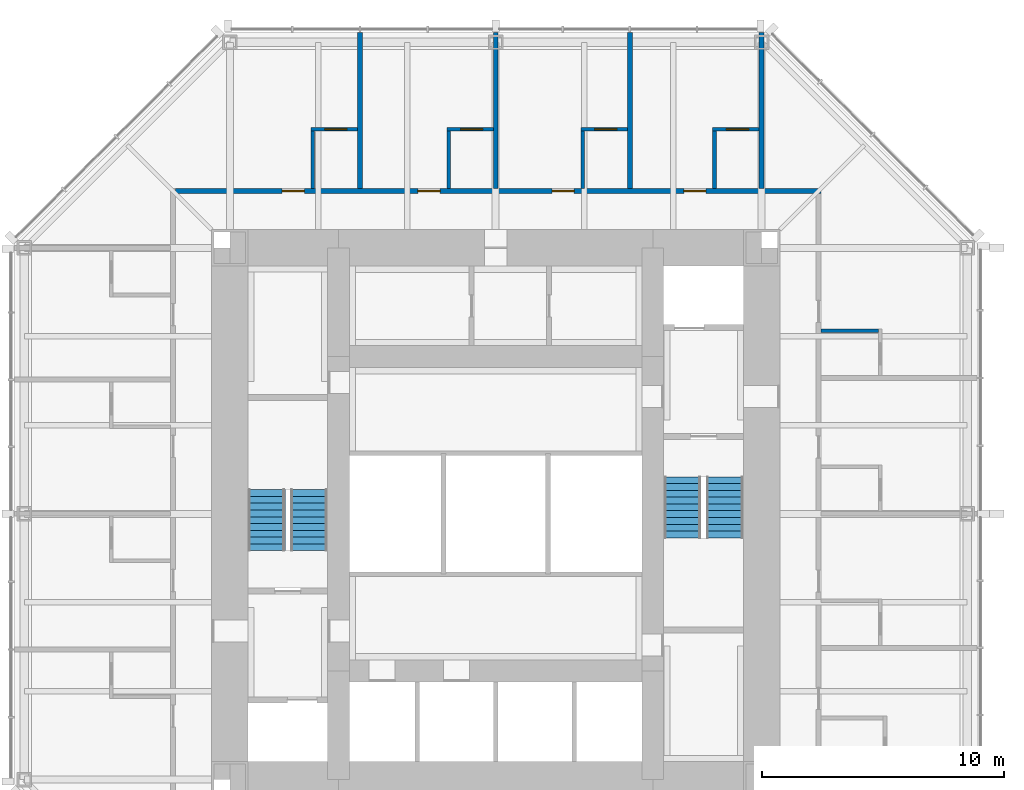
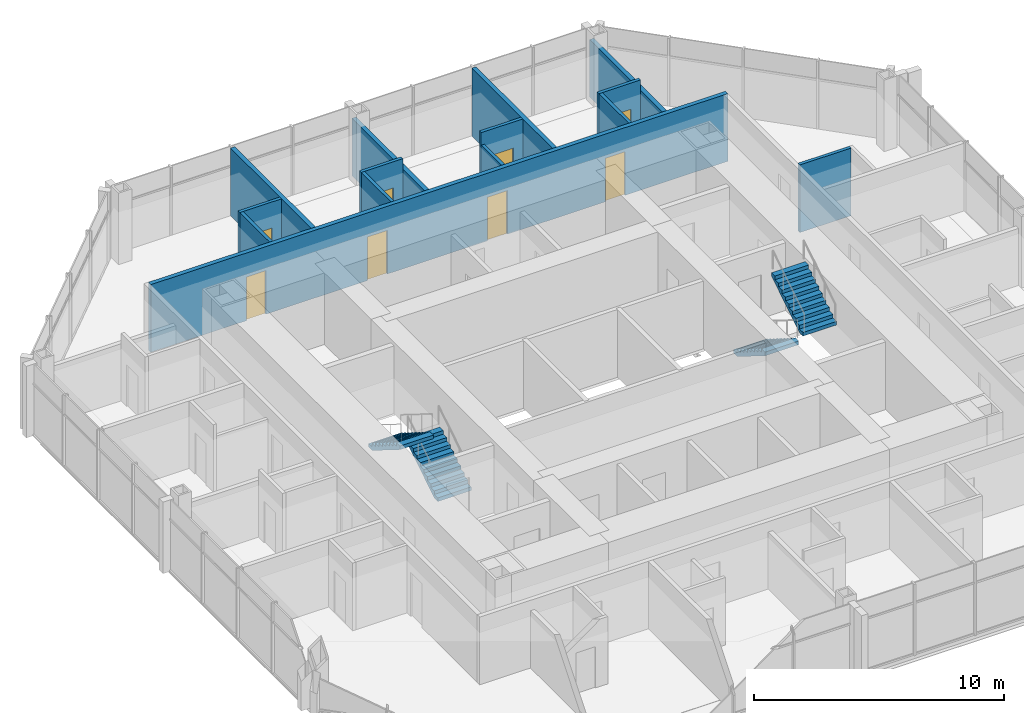
# One storey, part 10 of 12: 14 walls, 8 doors, 4 stair flights, 8 openings, 2 elements without a shape of their own.
"""IFC4 building model written with IfcOpenShell, lengths in metres."""

import ifcopenshell
import ifcopenshell.guid

model = None  # the IFC model being written
_history = None  # IfcOwnerHistory: only IFC2X3 demands one
_inside = {}  # id of a spatial element -> (the spatial element, [elements in it])
_under = {}  # id of a project, library or spatial element -> (it, [spatial elements below it])
_declared = {}  # id of a project -> (the project, [libraries it declares])
_typed = {}  # id of a type object -> (the type object, [elements of that type])
_made_of = {}  # id of a material, layer set ... -> (it, [elements and type objects made of it])


def new_model(schema):
    """Start an empty IFC model of exactly this schema.

    Asked for "IFC4X3", IfcOpenShell would pick the latest addendum, in which some entities
    have other attributes; the version numbers below select the first issue.
    IFC2X3 requires an IfcOwnerHistory on every rooted entity: one is made here for all.
    """
    global model, _history
    if schema == "IFC4X3":
        model = ifcopenshell.file(schema_version=(4, 3, 0, 0))
    else:
        model = ifcopenshell.file(schema=schema)
    _inside.clear()
    _under.clear()
    _declared.clear()
    _typed.clear()
    _made_of.clear()
    _history = None
    if model.schema == "IFC2X3":
        org = make("IfcOrganization", Name="unknown")
        user = make(
            "IfcPersonAndOrganization",
            ThePerson=make("IfcPerson", FamilyName="unknown"),
            TheOrganization=org,
        )
        app = make(
            "IfcApplication",
            ApplicationDeveloper=org,
            Version="unknown",
            ApplicationFullName="unknown",
            ApplicationIdentifier="unknown",
        )
        _history = make(
            "IfcOwnerHistory",
            OwningUser=user,
            OwningApplication=app,
            ChangeAction="ADDED",
            CreationDate=0,
        )
    return model


def make(cls, **values):
    """One entity of the class cls with the attributes given. An attribute that is None is left unset."""
    return model.create_entity(
        cls, **{name: value for name, value in values.items() if value is not None}
    )


def rooted(cls, **values):
    """An entity with a GlobalId (a new one), such as an element, a storey or a relation."""
    return make(cls, GlobalId=ifcopenshell.guid.new(), OwnerHistory=_history, **values)


def si_unit(unit_type, name, prefix=None):
    """IfcSIUnit, for example si_unit("LENGTHUNIT", "METRE", prefix="MILLI")."""
    return make("IfcSIUnit", UnitType=unit_type, Prefix=prefix, Name=name)


def assignment(units):
    """IfcUnitAssignment: the units of a project."""
    return None if units is None else make("IfcUnitAssignment", Units=units)


def point(xyz):
    """IfcCartesianPoint."""
    return None if xyz is None else make("IfcCartesianPoint", Coordinates=xyz)


def direction(xyz):
    """IfcDirection."""
    return None if xyz is None else make("IfcDirection", DirectionRatios=xyz)


def frame(location, z_axis=None, x_axis=None):
    """IfcAxis2Placement3D, a coordinate frame: its origin and axes. An axis left out is left unset."""
    return make(
        "IfcAxis2Placement3D",
        Location=point(location),
        Axis=direction(z_axis),
        RefDirection=direction(x_axis),
    )


def frame_2d(location, x_axis=None):
    """IfcAxis2Placement2D, a coordinate frame in the plane: its origin and x axis."""
    return make(
        "IfcAxis2Placement2D", Location=point(location), RefDirection=direction(x_axis)
    )


def origin():
    """The frame at (0, 0, 0) with its axes left unset."""
    return frame((0.0, 0.0, 0.0))


def place(relative_to, where):
    """IfcLocalPlacement: puts the frame where relative to a parent placement (None: the world)."""
    return make(
        "IfcLocalPlacement", PlacementRelTo=relative_to, RelativePlacement=where
    )


def context(
    kind, dimensions, precision=None, world=None, true_north=None, identifier=None
):
    """IfcGeometricRepresentationContext, for example the 3D "Model" context."""
    return make(
        "IfcGeometricRepresentationContext",
        ContextIdentifier=identifier,
        ContextType=kind,
        CoordinateSpaceDimension=dimensions,
        Precision=precision,
        WorldCoordinateSystem=world,
        TrueNorth=true_north,
    )


def subcontext(parent, identifier, kind, view, scale=None):
    """IfcGeometricRepresentationSubContext, for example "Body" below "Model"."""
    return make(
        "IfcGeometricRepresentationSubContext",
        ContextIdentifier=identifier,
        ContextType=kind,
        ParentContext=parent,
        TargetScale=scale,
        TargetView=view,
    )


def project(units=None, contexts=None):
    """IfcProject with its units and contexts."""
    return rooted(
        "IfcProject",
        Name="project",
        RepresentationContexts=contexts,
        UnitsInContext=assignment(units),
    )


def spatial(cls, under=None, at=None, **own):
    """A site, building, storey or space (cls), placed at a placement, below another one or the project."""
    s = rooted(cls, ObjectPlacement=at, **own)
    if under is not None:
        _under.setdefault(under.id(), (under, []))[1].append(s)
    return s


def polyline(points):
    """IfcPolyline through the points."""
    return make("IfcPolyline", Points=[point(p) for p in points])


def profile(cls, at=None, kind="AREA", **sizes):
    """A parametric profile (cls). Its sizes go by their IFC names, for example OverallWidth=200.0."""
    return make(cls, ProfileType=kind, Position=at, **sizes)


def rectangle(**sizes):
    """IfcRectangleProfileDef."""
    return profile("IfcRectangleProfileDef", **sizes)


def outline(outer, holes=None, kind="AREA"):
    """IfcArbitraryClosedProfileDef: a profile drawn as a closed curve; with holes, ...WithVoids."""
    if holes is None:
        return make("IfcArbitraryClosedProfileDef", ProfileType=kind, OuterCurve=outer)
    return make(
        "IfcArbitraryProfileDefWithVoids",
        ProfileType=kind,
        OuterCurve=outer,
        InnerCurves=holes,
    )


def extrude(swept, where, along, depth):
    """IfcExtrudedAreaSolid: the profile swept, set in the frame where, extruded along a direction by depth."""
    return make(
        "IfcExtrudedAreaSolid",
        SweptArea=swept,
        Position=where,
        ExtrudedDirection=direction(along),
        Depth=depth,
    )


def shape(context_of_items, identifier, shape_type, items):
    """IfcShapeRepresentation: the items that make up one representation, for example the "Body"."""
    return make(
        "IfcShapeRepresentation",
        ContextOfItems=context_of_items,
        RepresentationIdentifier=identifier,
        RepresentationType=shape_type,
        Items=items,
    )


def material(Name=None, Category=None):
    """IfcMaterial."""
    return make("IfcMaterial", Name=Name, Category=Category)


def layer(
    of_material, thickness, ventilated=None, Name=None, Category=None, Priority=None
):
    """IfcMaterialLayer: one layer of a wall or slab, of a material (None: an air gap)."""
    return make(
        "IfcMaterialLayer",
        Material=of_material,
        LayerThickness=thickness,
        IsVentilated=ventilated,
        Name=Name,
        Category=Category,
        Priority=Priority,
    )


def layer_set(layers, Name=None):
    """IfcMaterialLayerSet."""
    return make("IfcMaterialLayerSet", MaterialLayers=layers, LayerSetName=Name)


def made_of(thing, what):
    """Note that an element or type object is made of a material, layer set ...; save() writes the relation."""
    if what is not None:
        _made_of.setdefault(what.id(), (what, []))[1].append(thing)
    return thing


def type_object(cls, material=None, **own):
    """A type object (cls), such as IfcWallType, which elements share."""
    return made_of(rooted(cls, **own), material)


def element(
    cls,
    number,
    at=None,
    inside=None,
    cuts=None,
    type_object=None,
    material=None,
    context=None,
    identifier="Body",
    shape_type=None,
    held_by="IfcProductDefinitionShape",
    body=None,
    shapes=None,
    **own,
):
    """One element of the class cls, such as IfcWall. Its Tag is "e" and its number.

    at: its placement. inside: the storey or other place that contains it. cuts: it is an
    opening in that element (IfcRelVoidsElement). A single representation is given by context,
    identifier, shape_type and body (its items); several are given by shapes. held_by: the class
    of the entity that holds the representations. save() writes the other relations.
    """
    e = rooted(cls, Tag="e%d" % number, ObjectPlacement=at, **own)
    if body is not None:
        shapes = [shape(context, identifier, shape_type, body)]
    if shapes is not None:
        e.Representation = make(held_by, Representations=shapes)
    if inside is not None:
        _inside.setdefault(inside.id(), (inside, []))[1].append(e)
    if cuts is not None:
        rooted(
            "IfcRelVoidsElement", RelatingBuildingElement=cuts, RelatedOpeningElement=e
        )
    if type_object is not None:
        _typed.setdefault(type_object.id(), (type_object, []))[1].append(e)
    return made_of(e, material)


def fill(opening, filler):
    """IfcRelFillsElement: the door or window that sits in an opening."""
    return rooted(
        "IfcRelFillsElement",
        RelatingOpeningElement=opening,
        RelatedBuildingElement=filler,
    )


def aggregate(whole, parts):
    """IfcRelAggregates: a whole, such as a stair, and the parts it consists of."""
    return rooted("IfcRelAggregates", RelatingObject=whole, RelatedObjects=parts)


def save(model, path):
    """Write the relations noted so far, then the file.

    IfcRelAggregates (storeys below a building ...), IfcRelContainedInSpatialStructure (elements
    in a storey), IfcRelDefinesByType, IfcRelAssociatesMaterial and IfcRelDeclares: one each for
    every whole, place, type object, material and project.
    """
    for whole, parts in _under.values():
        aggregate(whole, parts)
    for where, things in _inside.values():
        rooted(
            "IfcRelContainedInSpatialStructure",
            RelatedElements=things,
            RelatingStructure=where,
        )
    for kind, things in _typed.values():
        rooted("IfcRelDefinesByType", RelatedObjects=things, RelatingType=kind)
    for what, things in _made_of.values():
        rooted("IfcRelAssociatesMaterial", RelatedObjects=things, RelatingMaterial=what)
    for by, libraries in _declared.values():
        rooted("IfcRelDeclares", RelatingContext=by, RelatedDefinitions=libraries)
    model.write(path)


model = new_model("IFC4")

# Units and contexts
model_context = context("Model", 3, precision=1e-05, world=origin(), true_north=direction((0.0, 1.0)))
body_context = subcontext(model_context, "Body", "Model", "MODEL_VIEW")
ifc_project = project(units=[si_unit("LENGTHUNIT", "METRE"), si_unit("AREAUNIT", "SQUARE_METRE"), si_unit("VOLUMEUNIT", "CUBIC_METRE"), si_unit("PLANEANGLEUNIT", "RADIAN"), si_unit("MASSUNIT", "GRAM", prefix="KILO")], contexts=[model_context])

# Site, building, storey
site_placement = place(None, origin())
site = spatial("IfcSite", under=ifc_project, at=site_placement, CompositionType="ELEMENT")
building_placement = place(site_placement, origin())
building = spatial("IfcBuilding", under=site, at=building_placement, Name="Trevanion Tower", CompositionType="ELEMENT")
storey_placement = place(building_placement, frame((0.0, 0.0, 190.699951171875)))
storey = spatial("IfcBuildingStorey", under=building, at=storey_placement, Name="L44", CompositionType="ELEMENT", Elevation=190.699951171875)

# Wall
ifc_material_1 = material(Name="Gypsum board on steel studs", Category="steel")
ifc_layer_1 = layer(ifc_material_1, 0.14990234375)
ifc_layer_set_1 = layer_set([ifc_layer_1], Name="PT1 partition 150")
wall_type_1 = type_object("IfcWallType", Name="PT1 partition 150", PredefinedType="PARTITIONING", material=ifc_layer_set_1)
wall_1_placement = place(storey_placement, frame((13.449951171875, 7.56396484375, 0.0), z_axis=(0.0, 0.0, 1.0), x_axis=(1.0, 0.0, 0.0)))
element("IfcWall", 1, at=wall_1_placement, inside=storey, type_object=wall_type_1, Name="PT1 L44 BB03", PredefinedType="PARTITIONING", context=body_context, shape_type="SweptSolid", body=[
    extrude(rectangle(XDim=2.375, YDim=0.14990234375, at=frame_2d((1.1875, 0.0))), origin(), (0.0, 0.0, 1.0), 3.31005859375),
])

# Wall, opening, door
wall_2_placement = place(storey_placement, frame((10.89990234375, 15.89990234375, 0.0), z_axis=(0.0, 0.0, 1.0), x_axis=(-1.0, 0.0, 0.0)))
wall_2 = element("IfcWall", 2, at=wall_2_placement, inside=storey, type_object=wall_type_1, Name="PT1 L44 BA10", PredefinedType="PARTITIONING", context=body_context, shape_type="SweptSolid", body=[
    extrude(rectangle(XDim=1.9248046875, YDim=0.14990234375, at=frame_2d((0.96240234375, 0.0))), origin(), (0.0, 0.0, 1.0), 3.31005859375),
])
opening_1_placement = place(wall_2_placement, frame((0.4423828125, 0.0, 0.0)))
opening_1 = element("IfcOpeningElement", 3, at=opening_1_placement, cuts=wall_2, Name="Opening 44-024", PredefinedType="OPENING", context=body_context, shape_type="SweptSolid", body=[
    extrude(rectangle(XDim=0.9150390625, YDim=2.031982421875, at=frame_2d((0.45751953125, 1.01611328125))), frame((0.0, 0.0849609375, 0.0), z_axis=(0.0, -1.0, 0.0), x_axis=(1.0, 0.0, 0.0)), (0.0, 0.0, 1.0), 0.169921875),
])
ifc_material_2 = material(Name="Timber veneer", Category="wood")
door_type_1 = type_object("IfcDoorType", Name="D7 bathroom door", OperationType="SINGLE_SWING_LEFT", PredefinedType="DOOR", material=ifc_material_2)
door_1_placement = place(opening_1_placement, origin())
door_1 = element("IfcDoor", 4, at=door_1_placement, inside=storey, type_object=door_type_1, Name="Door 44-024", OperationType="SINGLE_SWING_LEFT", OverallHeight=2.031982421875, OverallWidth=0.9150390625, PredefinedType="DOOR", context=body_context, shape_type="SweptSolid", body=[
    extrude(rectangle(XDim=0.9150390625, YDim=2.031982421875, at=frame_2d((0.45751953125, 1.01611328125))), frame((0.0, 0.02490234375, 0.0), z_axis=(0.0, -1.0, 0.0), x_axis=(1.0, 0.0, 0.0)), (0.0, 0.0, 1.0), 0.050048828125),
])
fill(opening_1, door_1)

# Wall
wall_3_placement = place(storey_placement, frame((9.050048828125, 13.449951171875, 0.0), z_axis=(0.0, 0.0, 1.0), x_axis=(0.0, 1.0, 0.0)))
element("IfcWall", 5, at=wall_3_placement, inside=storey, type_object=wall_type_1, Name="PT1 L44 BB10", PredefinedType="PARTITIONING", context=body_context, shape_type="SweptSolid", body=[
    extrude(rectangle(XDim=2.375, YDim=0.14990234375, at=frame_2d((1.1875, 0.0))), origin(), (0.0, 0.0, 1.0), 3.31005859375),
])

# Wall, opening, door
wall_4_placement = place(storey_placement, frame((5.448974609375, 15.89990234375, 0.0), z_axis=(0.0, 0.0, 1.0), x_axis=(-1.0, 0.0, 0.0)))
wall_4 = element("IfcWall", 6, at=wall_4_placement, inside=storey, type_object=wall_type_1, Name="PT1 L44 BA11", PredefinedType="PARTITIONING", context=body_context, shape_type="SweptSolid", body=[
    extrude(rectangle(XDim=1.925048828125, YDim=0.14990234375, at=frame_2d((0.96240234375, 0.0))), origin(), (0.0, 0.0, 1.0), 3.31005859375),
])
opening_2_placement = place(wall_4_placement, frame((0.4423828125, 0.0, 0.0)))
opening_2 = element("IfcOpeningElement", 7, at=opening_2_placement, cuts=wall_4, Name="Opening 44-026", PredefinedType="OPENING", context=body_context, shape_type="SweptSolid", body=[
    extrude(rectangle(XDim=0.9150390625, YDim=2.031982421875, at=frame_2d((0.45751953125, 1.01611328125))), frame((0.0, 0.0849609375, 0.0), z_axis=(0.0, -1.0, 0.0), x_axis=(1.0, 0.0, 0.0)), (0.0, 0.0, 1.0), 0.169921875),
])
door_2_placement = place(opening_2_placement, origin())
door_2 = element("IfcDoor", 8, at=door_2_placement, inside=storey, type_object=door_type_1, Name="Door 44-026", OperationType="SINGLE_SWING_LEFT", OverallHeight=2.031982421875, OverallWidth=0.9150390625, PredefinedType="DOOR", context=body_context, shape_type="SweptSolid", body=[
    extrude(rectangle(XDim=0.9150390625, YDim=2.031982421875, at=frame_2d((0.45751953125, 1.01611328125))), frame((0.0, 0.02490234375, 0.0), z_axis=(0.0, -1.0, 0.0), x_axis=(1.0, 0.0, 0.0)), (0.0, 0.0, 1.0), 0.050048828125),
])
fill(opening_2, door_2)

# Wall
wall_5_placement = place(storey_placement, frame((3.59912109375, 13.449951171875, 0.0), z_axis=(0.0, 0.0, 1.0), x_axis=(0.0, 1.0, 0.0)))
element("IfcWall", 9, at=wall_5_placement, inside=storey, type_object=wall_type_1, Name="PT1 L44 BB11", PredefinedType="PARTITIONING", context=body_context, shape_type="SweptSolid", body=[
    extrude(rectangle(XDim=2.375, YDim=0.14990234375, at=frame_2d((1.1875, 0.0))), origin(), (0.0, 0.0, 1.0), 2.703125),
])

# Wall, opening, door
wall_6_placement = place(storey_placement, frame((-0.10009765625, 15.89990234375, 0.0), z_axis=(0.0, 0.0, 1.0), x_axis=(-1.0, 0.0, 0.0)))
wall_6 = element("IfcWall", 10, at=wall_6_placement, inside=storey, type_object=wall_type_1, Name="PT1 L44 BA12", PredefinedType="PARTITIONING", context=body_context, shape_type="SweptSolid", body=[
    extrude(rectangle(XDim=1.9248046875, YDim=0.14990234375, at=frame_2d((0.96240234375, 0.0))), origin(), (0.0, 0.0, 1.0), 3.31005859375),
])
opening_3_placement = place(wall_6_placement, frame((0.4423828125, 0.0, 0.0)))
opening_3 = element("IfcOpeningElement", 11, at=opening_3_placement, cuts=wall_6, Name="Opening 44-028", PredefinedType="OPENING", context=body_context, shape_type="SweptSolid", body=[
    extrude(rectangle(XDim=0.9150390625, YDim=2.031982421875, at=frame_2d((0.45751953125, 1.01611328125))), frame((0.0, 0.0849609375, 0.0), z_axis=(0.0, -1.0, 0.0), x_axis=(1.0, 0.0, 0.0)), (0.0, 0.0, 1.0), 0.169921875),
])
door_3_placement = place(opening_3_placement, origin())
door_3 = element("IfcDoor", 12, at=door_3_placement, inside=storey, type_object=door_type_1, Name="Door 44-028", OperationType="SINGLE_SWING_LEFT", OverallHeight=2.031982421875, OverallWidth=0.9150390625, PredefinedType="DOOR", context=body_context, shape_type="SweptSolid", body=[
    extrude(rectangle(XDim=0.9150390625, YDim=2.031982421875, at=frame_2d((0.45751953125, 1.01611328125))), frame((0.0, 0.02490234375, 0.0), z_axis=(0.0, -1.0, 0.0), x_axis=(1.0, 0.0, 0.0)), (0.0, 0.0, 1.0), 0.050048828125),
])
fill(opening_3, door_3)

# Wall
wall_7_placement = place(storey_placement, frame((-1.949951171875, 13.449951171875, 0.0), z_axis=(0.0, 0.0, 1.0), x_axis=(0.0, 1.0, 0.0)))
element("IfcWall", 13, at=wall_7_placement, inside=storey, type_object=wall_type_1, Name="PT1 L44 BB12", PredefinedType="PARTITIONING", context=body_context, shape_type="SweptSolid", body=[
    extrude(rectangle(XDim=2.375, YDim=0.14990234375, at=frame_2d((1.1875, 0.0))), origin(), (0.0, 0.0, 1.0), 3.31005859375),
])

# Wall, opening, door
wall_8_placement = place(storey_placement, frame((-5.714111328125, 15.89990234375, 0.0), z_axis=(0.0, 0.0, 1.0), x_axis=(-1.0, 0.0, 0.0)))
wall_8 = element("IfcWall", 14, at=wall_8_placement, inside=storey, type_object=wall_type_1, Name="PT1 L44 BA13", PredefinedType="PARTITIONING", context=body_context, shape_type="SweptSolid", body=[
    extrude(rectangle(XDim=1.9248046875, YDim=0.14990234375, at=frame_2d((0.96240234375, 0.0))), origin(), (0.0, 0.0, 1.0), 3.31005859375),
])
opening_4_placement = place(wall_8_placement, frame((0.4423828125, 0.0, 0.0)))
opening_4 = element("IfcOpeningElement", 15, at=opening_4_placement, cuts=wall_8, Name="Opening 44-030", PredefinedType="OPENING", context=body_context, shape_type="SweptSolid", body=[
    extrude(rectangle(XDim=0.9150390625, YDim=2.031982421875, at=frame_2d((0.45751953125, 1.01611328125))), frame((0.0, 0.0849609375, 0.0), z_axis=(0.0, -1.0, 0.0), x_axis=(1.0, 0.0, 0.0)), (0.0, 0.0, 1.0), 0.169921875),
])
door_4_placement = place(opening_4_placement, origin())
door_4 = element("IfcDoor", 16, at=door_4_placement, inside=storey, type_object=door_type_1, Name="Door 44-030", OperationType="SINGLE_SWING_LEFT", OverallHeight=2.031982421875, OverallWidth=0.9150390625, PredefinedType="DOOR", context=body_context, shape_type="SweptSolid", body=[
    extrude(rectangle(XDim=0.9150390625, YDim=2.031982421875, at=frame_2d((0.45751953125, 1.01611328125))), frame((0.0, 0.02490234375, 0.0), z_axis=(0.0, -1.0, 0.0), x_axis=(1.0, 0.0, 0.0)), (0.0, 0.0, 1.0), 0.050048828125),
])
fill(opening_4, door_4)

# Wall
wall_9_placement = place(storey_placement, frame((-7.56396484375, 13.449951171875, 0.0), z_axis=(0.0, 0.0, 1.0), x_axis=(0.0, 1.0, 0.0)))
element("IfcWall", 17, at=wall_9_placement, inside=storey, type_object=wall_type_1, Name="PT1 L44 BB13", PredefinedType="PARTITIONING", context=body_context, shape_type="SweptSolid", body=[
    extrude(rectangle(XDim=2.375, YDim=0.14990234375, at=frame_2d((1.1875, 0.0))), origin(), (0.0, 0.0, 1.0), 3.31005859375),
])

# Wall, openings, doors
ifc_material_3 = material(Name="Concrete masonry, grouted", Category="masonry")
ifc_layer_2 = layer(ifc_material_3, 0.199951171875)
ifc_layer_set_2 = layer_set([ifc_layer_2], Name="PT2 partition 200 1 HR")
wall_type_2 = type_object("IfcWallType", Name="PT2 partition 200 1 HR", PredefinedType="PARTITIONING", material=ifc_layer_set_2)
wall_10_placement = place(storey_placement, frame((13.449951171875, 13.35009765625, 0.0), z_axis=(0.0, 0.0, 1.0), x_axis=(-1.0, 0.0, 0.0)))
wall_10 = element("IfcWall", 18, at=wall_10_placement, inside=storey, type_object=wall_type_2, Name="PT2 L44 HC1", PredefinedType="PARTITIONING", context=body_context, shape_type="SweptSolid", body=[
    extrude(rectangle(XDim=26.699951171875, YDim=0.199951171875, at=frame_2d((13.35009765625, 0.0))), origin(), (0.0, 0.0, 1.0), 3.31005859375),
])
opening_5_placement = place(wall_10_placement, frame((4.75244140625, 0.0, 0.0)))
opening_5 = element("IfcOpeningElement", 19, at=opening_5_placement, cuts=wall_10, Name="Opening 44-025", PredefinedType="OPENING", context=body_context, shape_type="SweptSolid", body=[
    extrude(rectangle(XDim=0.9150390625, YDim=2.134033203125, at=frame_2d((0.45751953125, 1.06689453125))), frame((0.0, 0.10986328125, 0.0), z_axis=(0.0, -1.0, 0.0), x_axis=(1.0, 0.0, 0.0)), (0.0, 0.0, 1.0), 0.219970703125),
])
opening_6_placement = place(wall_10_placement, frame((10.20361328125, 0.0, 0.0)))
opening_6 = element("IfcOpeningElement", 20, at=opening_6_placement, cuts=wall_10, Name="Opening 44-027", PredefinedType="OPENING", context=body_context, shape_type="SweptSolid", body=[
    extrude(rectangle(XDim=0.9150390625, YDim=2.134033203125, at=frame_2d((0.45751953125, 1.06689453125))), frame((0.0, 0.10986328125, 0.0), z_axis=(0.0, -1.0, 0.0), x_axis=(1.0, 0.0, 0.0)), (0.0, 0.0, 1.0), 0.219970703125),
])
opening_7_placement = place(wall_10_placement, frame((15.75244140625, 0.0, 0.0)))
opening_7 = element("IfcOpeningElement", 21, at=opening_7_placement, cuts=wall_10, Name="Opening 44-029", PredefinedType="OPENING", context=body_context, shape_type="SweptSolid", body=[
    extrude(rectangle(XDim=0.9150390625, YDim=2.134033203125, at=frame_2d((0.45751953125, 1.06689453125))), frame((0.0, 0.10986328125, 0.0), z_axis=(0.0, -1.0, 0.0), x_axis=(1.0, 0.0, 0.0)), (0.0, 0.0, 1.0), 0.219970703125),
])
opening_8_placement = place(wall_10_placement, frame((21.366455078125, 0.0, 0.0)))
opening_8 = element("IfcOpeningElement", 22, at=opening_8_placement, cuts=wall_10, Name="Opening 44-031", PredefinedType="OPENING", context=body_context, shape_type="SweptSolid", body=[
    extrude(rectangle(XDim=0.9150390625, YDim=2.134033203125, at=frame_2d((0.45751953125, 1.06689453125))), frame((0.0, 0.10986328125, 0.0), z_axis=(0.0, -1.0, 0.0), x_axis=(1.0, 0.0, 0.0)), (0.0, 0.0, 1.0), 0.219970703125),
])
ifc_material_4 = material(Name="Timber veneer, fire rated", Category="wood")
door_type_2 = type_object("IfcDoorType", Name="D6 guest room entrance door", OperationType="SINGLE_SWING_LEFT", PredefinedType="DOOR", material=ifc_material_4)
door_5_placement = place(opening_5_placement, origin())
door_5 = element("IfcDoor", 23, at=door_5_placement, inside=storey, type_object=door_type_2, Name="Door 44-025", OperationType="SINGLE_SWING_LEFT", OverallHeight=2.134033203125, OverallWidth=0.9150390625, PredefinedType="DOOR", context=body_context, shape_type="SweptSolid", body=[
    extrude(rectangle(XDim=0.9150390625, YDim=2.134033203125, at=frame_2d((0.45751953125, 1.06689453125))), frame((0.0, 0.02490234375, 0.0), z_axis=(0.0, -1.0, 0.0), x_axis=(1.0, 0.0, 0.0)), (0.0, 0.0, 1.0), 0.050048828125),
])
fill(opening_5, door_5)
door_6_placement = place(opening_6_placement, origin())
door_6 = element("IfcDoor", 24, at=door_6_placement, inside=storey, type_object=door_type_2, Name="Door 44-027", OperationType="SINGLE_SWING_LEFT", OverallHeight=2.134033203125, OverallWidth=0.9150390625, PredefinedType="DOOR", context=body_context, shape_type="SweptSolid", body=[
    extrude(rectangle(XDim=0.9150390625, YDim=2.134033203125, at=frame_2d((0.45751953125, 1.06689453125))), frame((0.0, 0.02490234375, 0.0), z_axis=(0.0, -1.0, 0.0), x_axis=(1.0, 0.0, 0.0)), (0.0, 0.0, 1.0), 0.050048828125),
])
fill(opening_6, door_6)
door_7_placement = place(opening_7_placement, origin())
door_7 = element("IfcDoor", 25, at=door_7_placement, inside=storey, type_object=door_type_2, Name="Door 44-029", OperationType="SINGLE_SWING_LEFT", OverallHeight=2.134033203125, OverallWidth=0.9150390625, PredefinedType="DOOR", context=body_context, shape_type="SweptSolid", body=[
    extrude(rectangle(XDim=0.9150390625, YDim=2.134033203125, at=frame_2d((0.45751953125, 1.06689453125))), frame((0.0, 0.02490234375, 0.0), z_axis=(0.0, -1.0, 0.0), x_axis=(1.0, 0.0, 0.0)), (0.0, 0.0, 1.0), 0.050048828125),
])
fill(opening_7, door_7)
door_8_placement = place(opening_8_placement, origin())
door_8 = element("IfcDoor", 26, at=door_8_placement, inside=storey, type_object=door_type_2, Name="Door 44-031", OperationType="SINGLE_SWING_LEFT", OverallHeight=2.134033203125, OverallWidth=0.9150390625, PredefinedType="DOOR", context=body_context, shape_type="SweptSolid", body=[
    extrude(rectangle(XDim=0.9150390625, YDim=2.134033203125, at=frame_2d((0.45751953125, 1.06689453125))), frame((0.0, 0.02490234375, 0.0), z_axis=(0.0, -1.0, 0.0), x_axis=(1.0, 0.0, 0.0)), (0.0, 0.0, 1.0), 0.050048828125),
])
fill(opening_8, door_8)

# Walls
wall_11_placement = place(storey_placement, frame((11.0, 13.449951171875, 0.0), z_axis=(0.0, 0.0, 1.0), x_axis=(0.0, 1.0, 0.0)))
element("IfcWall", 27, at=wall_11_placement, inside=storey, type_object=wall_type_2, Name="PT2 L44 HD10", PredefinedType="PARTITIONING", context=body_context, shape_type="SweptSolid", body=[
    extrude(rectangle(XDim=6.465087890625, YDim=0.199951171875, at=frame_2d((3.232421875, 0.0))), origin(), (0.0, 0.0, 1.0), 2.802001953125),
])
wall_12_placement = place(storey_placement, frame((5.549072265625, 13.449951171875, 0.0), z_axis=(0.0, 0.0, 1.0), x_axis=(0.0, 1.0, 0.0)))
element("IfcWall", 28, at=wall_12_placement, inside=storey, type_object=wall_type_2, Name="PT2 L44 HD11", PredefinedType="PARTITIONING", context=body_context, shape_type="SweptSolid", body=[
    extrude(rectangle(XDim=6.465087890625, YDim=0.199951171875, at=frame_2d((3.232421875, 0.0))), origin(), (0.0, 0.0, 1.0), 3.31005859375),
])
wall_13_placement = place(storey_placement, frame((0.0, 13.449951171875, 0.0), z_axis=(0.0, 0.0, 1.0), x_axis=(0.0, 1.0, 0.0)))
element("IfcWall", 29, at=wall_13_placement, inside=storey, type_object=wall_type_2, Name="PT2 L44 HD12", PredefinedType="PARTITIONING", context=body_context, shape_type="SweptSolid", body=[
    extrude(rectangle(XDim=6.465087890625, YDim=0.199951171875, at=frame_2d((3.232421875, 0.0))), origin(), (0.0, 0.0, 1.0), 2.802001953125),
])
wall_14_placement = place(storey_placement, frame((-5.614013671875, 13.449951171875, 0.0), z_axis=(0.0, 0.0, 1.0), x_axis=(0.0, 1.0, 0.0)))
element("IfcWall", 30, at=wall_14_placement, inside=storey, type_object=wall_type_2, Name="PT2 L44 HD13", PredefinedType="PARTITIONING", context=body_context, shape_type="SweptSolid", body=[
    extrude(rectangle(XDim=6.465087890625, YDim=0.199951171875, at=frame_2d((3.232421875, 0.0))), origin(), (0.0, 0.0, 1.0), 3.31005859375),
])

# Stair, stair flights
ifc_material_5 = material(Name="Concrete 5,000 psi on steel stringers", Category="concrete")
stair_type = type_object("IfcStairType", Name="ST stair", PredefinedType="HALF_TURN_STAIR", material=ifc_material_5)
stair_1_placement = place(storey_placement, origin())
stair_1 = element("IfcStair", 31, at=stair_1_placement, inside=storey, type_object=stair_type, Name="ST1 L44", PredefinedType="HALF_TURN_STAIR")
ifc_material_6 = material(Name="Concrete 5,000 psi in steel pan", Category="concrete")
stair_flight_type = type_object("IfcStairFlightType", Name="STF stair flight", PredefinedType="STRAIGHT", material=ifc_material_6)
stair_flight_1_placement = place(storey_placement, frame((7.72509765625, 1.52490234375, 0.0), z_axis=(0.0, 0.0, 1.0), x_axis=(0.0, -1.0, 0.0)))
stair_flight_1 = element("IfcStairFlight", 32, at=stair_flight_1_placement, type_object=stair_flight_type, Name="ST1 flight 1", NumberOfRisers=10, NumberOfTreads=9, PredefinedType="STRAIGHT", RiserHeight=0.175, TreadLength=0.28, context=body_context, shape_type="SweptSolid", body=[
    extrude(outline(polyline([(0.0, 0.0), (0.0, 0.175048828125), (0.280029296875, 0.175048828125), (0.280029296875, 0.35009765625), (0.56005859375, 0.35009765625), (0.56005859375, 0.52490234375), (0.840087890625, 0.52490234375), (0.840087890625, 0.699951171875), (1.1201171875, 0.699951171875), (1.1201171875, 0.875), (1.39990234375, 0.875), (1.39990234375, 1.050048828125), (1.679931640625, 1.050048828125), (1.679931640625, 1.22509765625), (1.9599609375, 1.22509765625), (1.9599609375, 1.39990234375), (2.239990234375, 1.39990234375), (2.239990234375, 1.574951171875), (2.52001953125, 1.574951171875), (2.52001953125, 1.75), (2.52001953125, 1.398193359375), (0.28271484375, 0.0), (0.0, 0.0)])), frame((0.0, 0.77490234375, 0.0), z_axis=(0.0, -1.0, 0.0), x_axis=(1.0, 0.0, 0.0)), (0.0, 0.0, 1.0), 1.550048828125),
])
stair_flight_2_placement = place(storey_placement, frame((9.47509765625, -0.9951171875, 1.75), z_axis=(0.0, 0.0, 1.0), x_axis=(0.0, 1.0, 0.0)))
stair_flight_2 = element("IfcStairFlight", 33, at=stair_flight_2_placement, type_object=stair_flight_type, Name="ST1 flight 2", NumberOfRisers=10, NumberOfTreads=9, PredefinedType="STRAIGHT", RiserHeight=0.175, TreadLength=0.28, context=body_context, shape_type="SweptSolid", body=[
    extrude(outline(polyline([(0.0, 0.0), (0.0, 0.175048828125), (0.280029296875, 0.175048828125), (0.280029296875, 0.35009765625), (0.56005859375, 0.35009765625), (0.56005859375, 0.52490234375), (0.840087890625, 0.52490234375), (0.840087890625, 0.699951171875), (1.1201171875, 0.699951171875), (1.1201171875, 0.875), (1.39990234375, 0.875), (1.39990234375, 1.050048828125), (1.679931640625, 1.050048828125), (1.679931640625, 1.22509765625), (1.9599609375, 1.22509765625), (1.9599609375, 1.39990234375), (2.239990234375, 1.39990234375), (2.239990234375, 1.574951171875), (2.52001953125, 1.574951171875), (2.52001953125, 1.75), (2.52001953125, 1.398193359375), (0.28271484375, 0.0), (0.0, 0.0)])), frame((0.0, 0.77490234375, 0.0), z_axis=(0.0, -1.0, 0.0), x_axis=(1.0, 0.0, 0.0)), (0.0, 0.0, 1.0), 1.550048828125),
])
aggregate(stair_1, [stair_flight_1, stair_flight_2])

stair_2_placement = place(storey_placement, origin())
stair_2 = element("IfcStair", 34, at=stair_2_placement, inside=storey, type_object=stair_type, Name="ST2 L44", PredefinedType="HALF_TURN_STAIR")
stair_flight_3_placement = place(storey_placement, frame((-7.72509765625, -1.52490234375, 0.0), z_axis=(0.0, 0.0, 1.0), x_axis=(0.0, 1.0, 0.0)))
stair_flight_3 = element("IfcStairFlight", 35, at=stair_flight_3_placement, type_object=stair_flight_type, Name="ST2 flight 1", NumberOfRisers=10, NumberOfTreads=9, PredefinedType="STRAIGHT", RiserHeight=0.175, TreadLength=0.28, context=body_context, shape_type="SweptSolid", body=[
    extrude(outline(polyline([(0.0, 0.0), (0.0, 0.175048828125), (0.280029296875, 0.175048828125), (0.280029296875, 0.35009765625), (0.56005859375, 0.35009765625), (0.56005859375, 0.52490234375), (0.840087890625, 0.52490234375), (0.840087890625, 0.699951171875), (1.1201171875, 0.699951171875), (1.1201171875, 0.875), (1.39990234375, 0.875), (1.39990234375, 1.050048828125), (1.679931640625, 1.050048828125), (1.679931640625, 1.22509765625), (1.9599609375, 1.22509765625), (1.9599609375, 1.39990234375), (2.239990234375, 1.39990234375), (2.239990234375, 1.574951171875), (2.52001953125, 1.574951171875), (2.52001953125, 1.75), (2.52001953125, 1.398193359375), (0.28271484375, 0.0), (0.0, 0.0)])), frame((0.0, 0.77490234375, 0.0), z_axis=(0.0, -1.0, 0.0), x_axis=(1.0, 0.0, 0.0)), (0.0, 0.0, 1.0), 1.550048828125),
])
stair_flight_4_placement = place(storey_placement, frame((-9.47509765625, 0.9951171875, 1.75), z_axis=(0.0, 0.0, 1.0), x_axis=(0.0, -1.0, 0.0)))
stair_flight_4 = element("IfcStairFlight", 36, at=stair_flight_4_placement, type_object=stair_flight_type, Name="ST2 flight 2", NumberOfRisers=10, NumberOfTreads=9, PredefinedType="STRAIGHT", RiserHeight=0.175, TreadLength=0.28, context=body_context, shape_type="SweptSolid", body=[
    extrude(outline(polyline([(0.0, 0.0), (0.0, 0.175048828125), (0.280029296875, 0.175048828125), (0.280029296875, 0.35009765625), (0.56005859375, 0.35009765625), (0.56005859375, 0.52490234375), (0.840087890625, 0.52490234375), (0.840087890625, 0.699951171875), (1.1201171875, 0.699951171875), (1.1201171875, 0.875), (1.39990234375, 0.875), (1.39990234375, 1.050048828125), (1.679931640625, 1.050048828125), (1.679931640625, 1.22509765625), (1.9599609375, 1.22509765625), (1.9599609375, 1.39990234375), (2.239990234375, 1.39990234375), (2.239990234375, 1.574951171875), (2.52001953125, 1.574951171875), (2.52001953125, 1.75), (2.52001953125, 1.398193359375), (0.28271484375, 0.0), (0.0, 0.0)])), frame((0.0, 0.77490234375, 0.0), z_axis=(0.0, -1.0, 0.0), x_axis=(1.0, 0.0, 0.0)), (0.0, 0.0, 1.0), 1.550048828125),
])
aggregate(stair_2, [stair_flight_3, stair_flight_4])

save(model, "model.ifc")
